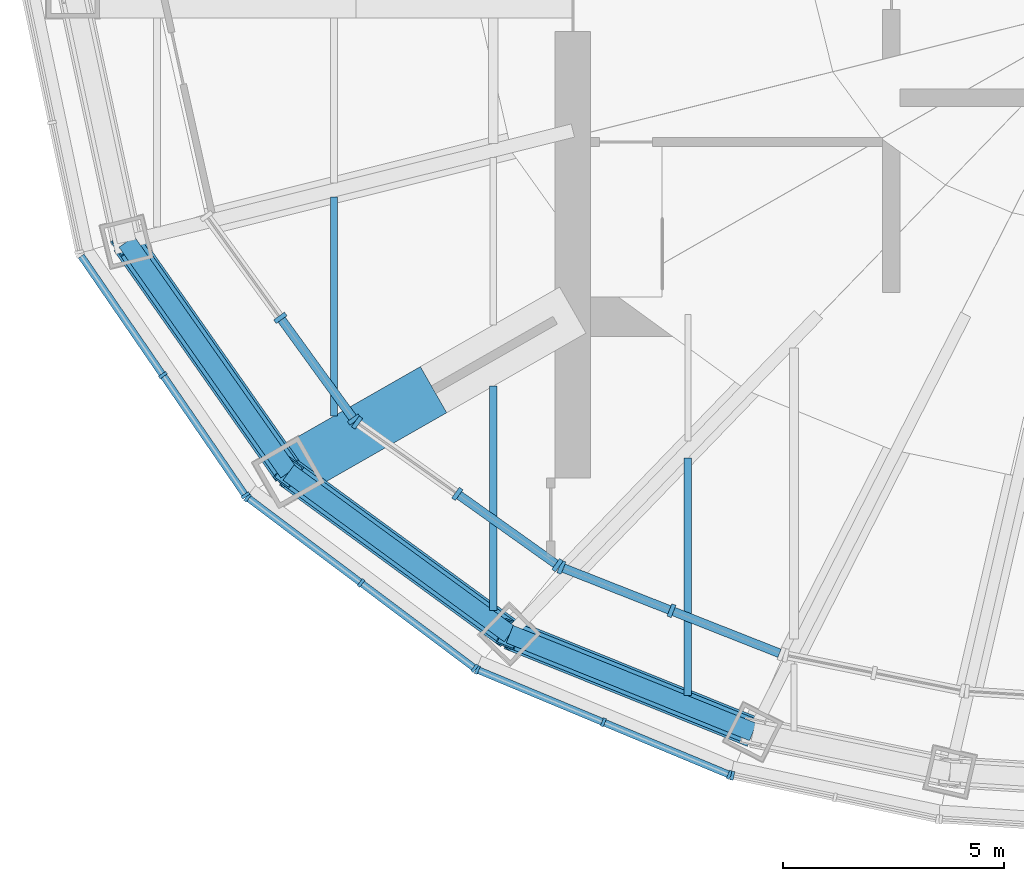
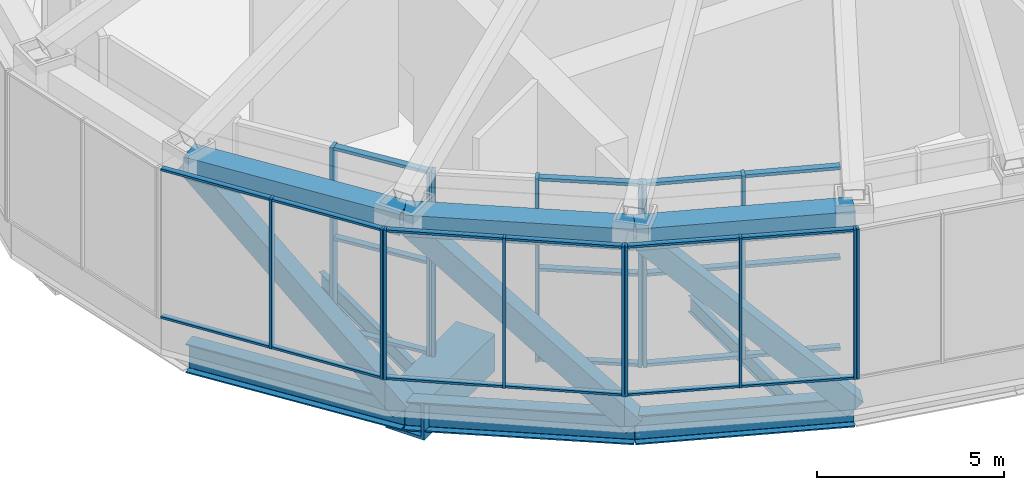
# One storey, part 2 of 21: 43 members, 10 beams, 7 elements without a shape of their own.
"""IFC4 building model written with IfcOpenShell, lengths in metres."""

import ifcopenshell
import ifcopenshell.guid

model = None  # the IFC model being written
_history = None  # IfcOwnerHistory: only IFC2X3 demands one
_inside = {}  # id of a spatial element -> (the spatial element, [elements in it])
_under = {}  # id of a project, library or spatial element -> (it, [spatial elements below it])
_declared = {}  # id of a project -> (the project, [libraries it declares])
_typed = {}  # id of a type object -> (the type object, [elements of that type])
_made_of = {}  # id of a material, layer set ... -> (it, [elements and type objects made of it])


def new_model(schema):
    """Start an empty IFC model of exactly this schema.

    Asked for "IFC4X3", IfcOpenShell would pick the latest addendum, in which some entities
    have other attributes; the version numbers below select the first issue.
    IFC2X3 requires an IfcOwnerHistory on every rooted entity: one is made here for all.
    """
    global model, _history
    if schema == "IFC4X3":
        model = ifcopenshell.file(schema_version=(4, 3, 0, 0))
    else:
        model = ifcopenshell.file(schema=schema)
    _inside.clear()
    _under.clear()
    _declared.clear()
    _typed.clear()
    _made_of.clear()
    _history = None
    if model.schema == "IFC2X3":
        org = make("IfcOrganization", Name="unknown")
        user = make(
            "IfcPersonAndOrganization",
            ThePerson=make("IfcPerson", FamilyName="unknown"),
            TheOrganization=org,
        )
        app = make(
            "IfcApplication",
            ApplicationDeveloper=org,
            Version="unknown",
            ApplicationFullName="unknown",
            ApplicationIdentifier="unknown",
        )
        _history = make(
            "IfcOwnerHistory",
            OwningUser=user,
            OwningApplication=app,
            ChangeAction="ADDED",
            CreationDate=0,
        )
    return model


def make(cls, **values):
    """One entity of the class cls with the attributes given. An attribute that is None is left unset."""
    return model.create_entity(
        cls, **{name: value for name, value in values.items() if value is not None}
    )


def rooted(cls, **values):
    """An entity with a GlobalId (a new one), such as an element, a storey or a relation."""
    return make(cls, GlobalId=ifcopenshell.guid.new(), OwnerHistory=_history, **values)


def si_unit(unit_type, name, prefix=None):
    """IfcSIUnit, for example si_unit("LENGTHUNIT", "METRE", prefix="MILLI")."""
    return make("IfcSIUnit", UnitType=unit_type, Prefix=prefix, Name=name)


def assignment(units):
    """IfcUnitAssignment: the units of a project."""
    return None if units is None else make("IfcUnitAssignment", Units=units)


def point(xyz):
    """IfcCartesianPoint."""
    return None if xyz is None else make("IfcCartesianPoint", Coordinates=xyz)


def direction(xyz):
    """IfcDirection."""
    return None if xyz is None else make("IfcDirection", DirectionRatios=xyz)


def frame(location, z_axis=None, x_axis=None):
    """IfcAxis2Placement3D, a coordinate frame: its origin and axes. An axis left out is left unset."""
    return make(
        "IfcAxis2Placement3D",
        Location=point(location),
        Axis=direction(z_axis),
        RefDirection=direction(x_axis),
    )


def frame_2d(location, x_axis=None):
    """IfcAxis2Placement2D, a coordinate frame in the plane: its origin and x axis."""
    return make(
        "IfcAxis2Placement2D", Location=point(location), RefDirection=direction(x_axis)
    )


def origin():
    """The frame at (0, 0, 0) with its axes left unset."""
    return frame((0.0, 0.0, 0.0))


def origin_2d():
    """The frame at (0, 0) in the plane with its x axis left unset."""
    return frame_2d((0.0, 0.0))


def place(relative_to, where):
    """IfcLocalPlacement: puts the frame where relative to a parent placement (None: the world)."""
    return make(
        "IfcLocalPlacement", PlacementRelTo=relative_to, RelativePlacement=where
    )


def context(
    kind, dimensions, precision=None, world=None, true_north=None, identifier=None
):
    """IfcGeometricRepresentationContext, for example the 3D "Model" context."""
    return make(
        "IfcGeometricRepresentationContext",
        ContextIdentifier=identifier,
        ContextType=kind,
        CoordinateSpaceDimension=dimensions,
        Precision=precision,
        WorldCoordinateSystem=world,
        TrueNorth=true_north,
    )


def subcontext(parent, identifier, kind, view, scale=None):
    """IfcGeometricRepresentationSubContext, for example "Body" below "Model"."""
    return make(
        "IfcGeometricRepresentationSubContext",
        ContextIdentifier=identifier,
        ContextType=kind,
        ParentContext=parent,
        TargetScale=scale,
        TargetView=view,
    )


def project(units=None, contexts=None):
    """IfcProject with its units and contexts."""
    return rooted(
        "IfcProject",
        Name="project",
        RepresentationContexts=contexts,
        UnitsInContext=assignment(units),
    )


def spatial(cls, under=None, at=None, **own):
    """A site, building, storey or space (cls), placed at a placement, below another one or the project."""
    s = rooted(cls, ObjectPlacement=at, **own)
    if under is not None:
        _under.setdefault(under.id(), (under, []))[1].append(s)
    return s


def profile(cls, at=None, kind="AREA", **sizes):
    """A parametric profile (cls). Its sizes go by their IFC names, for example OverallWidth=200.0."""
    return make(cls, ProfileType=kind, Position=at, **sizes)


def rectangle(**sizes):
    """IfcRectangleProfileDef."""
    return profile("IfcRectangleProfileDef", **sizes)


def hollow_rectangle(**sizes):
    """IfcRectangleHollowProfileDef."""
    return profile("IfcRectangleHollowProfileDef", **sizes)


def i_section(**sizes):
    """IfcIShapeProfileDef."""
    return profile("IfcIShapeProfileDef", **sizes)


def extrude(swept, where, along, depth):
    """IfcExtrudedAreaSolid: the profile swept, set in the frame where, extruded along a direction by depth."""
    return make(
        "IfcExtrudedAreaSolid",
        SweptArea=swept,
        Position=where,
        ExtrudedDirection=direction(along),
        Depth=depth,
    )


def shape(context_of_items, identifier, shape_type, items):
    """IfcShapeRepresentation: the items that make up one representation, for example the "Body"."""
    return make(
        "IfcShapeRepresentation",
        ContextOfItems=context_of_items,
        RepresentationIdentifier=identifier,
        RepresentationType=shape_type,
        Items=items,
    )


def material(Name=None, Category=None):
    """IfcMaterial."""
    return make("IfcMaterial", Name=Name, Category=Category)


def material_profile(
    of_material, cross_section, Name=None, Category=None, Priority=None
):
    """IfcMaterialProfile: a cross section and its material."""
    return make(
        "IfcMaterialProfile",
        Name=Name,
        Material=of_material,
        Profile=cross_section,
        Priority=Priority,
        Category=Category,
    )


def profile_set(profiles, Name=None, composite=None):
    """IfcMaterialProfileSet."""
    return make(
        "IfcMaterialProfileSet",
        Name=Name,
        MaterialProfiles=profiles,
        CompositeProfile=composite,
    )


def made_of(thing, what):
    """Note that an element or type object is made of a material, layer set ...; save() writes the relation."""
    if what is not None:
        _made_of.setdefault(what.id(), (what, []))[1].append(thing)
    return thing


def type_object(cls, material=None, **own):
    """A type object (cls), such as IfcWallType, which elements share."""
    return made_of(rooted(cls, **own), material)


def element(
    cls,
    number,
    at=None,
    inside=None,
    cuts=None,
    type_object=None,
    material=None,
    context=None,
    identifier="Body",
    shape_type=None,
    held_by="IfcProductDefinitionShape",
    body=None,
    shapes=None,
    **own,
):
    """One element of the class cls, such as IfcWall. Its Tag is "e" and its number.

    at: its placement. inside: the storey or other place that contains it. cuts: it is an
    opening in that element (IfcRelVoidsElement). A single representation is given by context,
    identifier, shape_type and body (its items); several are given by shapes. held_by: the class
    of the entity that holds the representations. save() writes the other relations.
    """
    e = rooted(cls, Tag="e%d" % number, ObjectPlacement=at, **own)
    if body is not None:
        shapes = [shape(context, identifier, shape_type, body)]
    if shapes is not None:
        e.Representation = make(held_by, Representations=shapes)
    if inside is not None:
        _inside.setdefault(inside.id(), (inside, []))[1].append(e)
    if cuts is not None:
        rooted(
            "IfcRelVoidsElement", RelatingBuildingElement=cuts, RelatedOpeningElement=e
        )
    if type_object is not None:
        _typed.setdefault(type_object.id(), (type_object, []))[1].append(e)
    return made_of(e, material)


def aggregate(whole, parts):
    """IfcRelAggregates: a whole, such as a stair, and the parts it consists of."""
    return rooted("IfcRelAggregates", RelatingObject=whole, RelatedObjects=parts)


def save(model, path):
    """Write the relations noted so far, then the file.

    IfcRelAggregates (storeys below a building ...), IfcRelContainedInSpatialStructure (elements
    in a storey), IfcRelDefinesByType, IfcRelAssociatesMaterial and IfcRelDeclares: one each for
    every whole, place, type object, material and project.
    """
    for whole, parts in _under.values():
        aggregate(whole, parts)
    for where, things in _inside.values():
        rooted(
            "IfcRelContainedInSpatialStructure",
            RelatedElements=things,
            RelatingStructure=where,
        )
    for kind, things in _typed.values():
        rooted("IfcRelDefinesByType", RelatedObjects=things, RelatingType=kind)
    for what, things in _made_of.values():
        rooted("IfcRelAssociatesMaterial", RelatedObjects=things, RelatingMaterial=what)
    for by, libraries in _declared.values():
        rooted("IfcRelDeclares", RelatingContext=by, RelatedDefinitions=libraries)
    model.write(path)


model = new_model("IFC4")

# Units and contexts
model_context = context("Model", 3, precision=1e-05, world=origin(), true_north=direction((0.0, 1.0)))
body_context = subcontext(model_context, "Body", "Model", "MODEL_VIEW")
ifc_project = project(units=[si_unit("LENGTHUNIT", "METRE"), si_unit("AREAUNIT", "SQUARE_METRE"), si_unit("VOLUMEUNIT", "CUBIC_METRE"), si_unit("PLANEANGLEUNIT", "RADIAN"), si_unit("MASSUNIT", "GRAM", prefix="KILO")], contexts=[model_context])

# Site, building, storey
site_placement = place(None, origin())
site = spatial("IfcSite", under=ifc_project, at=site_placement, CompositionType="ELEMENT")
building_placement = place(site_placement, origin())
building = spatial("IfcBuilding", under=site, at=building_placement, Name="Lantaw Convention Tower", CompositionType="ELEMENT")
storey_placement = place(building_placement, frame((0.0, 0.0, 290.39990234375)))
storey = spatial("IfcBuildingStorey", under=building, at=storey_placement, Name="L67", CompositionType="ELEMENT", Elevation=290.39990234375)

# Beams
ifc_material_1 = material(Name="Steel ASTM A992", Category="steel")
ifc_material_profile_1 = material_profile(ifc_material_1, i_section(OverallWidth=0.424072265625, OverallDepth=0.947509765625, WebThickness=0.02392578125, FlangeThickness=0.042724609375, FilletRadius=0.012451171875, at=origin_2d()), Name="W36X302")
ifc_profile_set_1 = profile_set([ifc_material_profile_1], Name="Steel ASTM A992")
beam_type_1 = type_object("IfcBeamType", Name="Beam BC W36X302", PredefinedType="SPANDREL", material=ifc_profile_set_1)
beam_1_placement = place(storey_placement, frame((-22.68701171875, -5.656494140625, -0.673583984375), z_axis=(0.574400527612, -0.81857439117, 0.0), x_axis=(0.81857439117, 0.574400527612, 0.0)))
element("IfcBeam", 1, at=beam_1_placement, inside=storey, type_object=beam_type_1, Name="Belt truss chord 14", PredefinedType="SPANDREL", context=body_context, shape_type="SweptSolid", body=[
    extrude(i_section(OverallWidth=0.424072265625, OverallDepth=0.947509765625, WebThickness=0.02392578125, FlangeThickness=0.042724609375, FilletRadius=0.012451171875, at=origin_2d()), origin(), (0.0, 0.0, 1.0), 6.3720703125),
])
beam_2_placement = place(storey_placement, frame((-19.02685546875, -10.87255859375, -0.673583984375), z_axis=(0.807371616826, -0.59004328006, 0.0), x_axis=(0.59004328006, 0.807371616826, 0.0)))
element("IfcBeam", 2, at=beam_2_placement, inside=storey, type_object=beam_type_1, Name="Belt truss chord 15", PredefinedType="SPANDREL", context=body_context, shape_type="SweptSolid", body=[
    extrude(i_section(OverallWidth=0.424072265625, OverallDepth=0.947509765625, WebThickness=0.02392578125, FlangeThickness=0.042724609375, FilletRadius=0.012451171875, at=origin_2d()), origin(), (0.0, 0.0, 1.0), 6.192138671875),
])
beam_3_placement = place(storey_placement, frame((-14.027587890625, -14.526123046875, -0.673583984375), z_axis=(0.927779110974, -0.373129898615, 0.0), x_axis=(0.373129898615, 0.927779110974, 0.0)))
element("IfcBeam", 3, at=beam_3_placement, inside=storey, type_object=beam_type_1, Name="Belt truss chord 16", PredefinedType="SPANDREL", context=body_context, shape_type="SweptSolid", body=[
    extrude(i_section(OverallWidth=0.424072265625, OverallDepth=0.947509765625, WebThickness=0.02392578125, FlangeThickness=0.042724609375, FilletRadius=0.012451171875, at=origin_2d()), origin(), (0.0, 0.0, 1.0), 5.92724609375),
])
ifc_material_2 = material(Name="Steel EN 10025-3 S460N", Category="steel")
ifc_material_profile_2 = material_profile(ifc_material_2, hollow_rectangle(XDim=1.199951171875, YDim=1.199951171875, WallThickness=0.10009765625, at=origin_2d()), Name="BOX1200X100")
ifc_profile_set_2 = profile_set([ifc_material_profile_2], Name="Steel EN 10025-3 S460N")
beam_type_2 = type_object("IfcBeamType", Name="Beam G BOX1200X100", PredefinedType="BEAM", material=ifc_profile_set_2)
beam_4_placement = place(storey_placement, frame((-15.75, -9.0, -0.7998046875), z_axis=(-0.868235180478, -0.496152870978, 0.0), x_axis=(0.496152870978, -0.868235180478, 0.0)))
element("IfcBeam", 4, at=beam_4_placement, inside=storey, type_object=beam_type_2, Name="Floor girder on ray 15", PredefinedType="BEAM", context=body_context, shape_type="SweptSolid", body=[
    extrude(hollow_rectangle(XDim=1.199951171875, YDim=1.199951171875, WallThickness=0.10009765625, at=origin_2d()), origin(), (0.0, 0.0, 1.0), 3.774169921875),
])
ifc_material_profile_3 = material_profile(ifc_material_1, i_section(OverallWidth=0.1650390625, OverallDepth=0.52587890625, WebThickness=0.0087890625, FlangeThickness=0.011474609375, FilletRadius=0.0126953125, at=origin_2d()), Name="W21X44")
ifc_profile_set_3 = profile_set([ifc_material_profile_3], Name="Steel ASTM A992")
beam_type_3 = type_object("IfcBeamType", Name="Beam J W21X44", PredefinedType="JOIST", material=ifc_profile_set_3)
beam_5_placement = place(storey_placement, frame((-10.0, -15.91748046875, -0.462890625), z_axis=(0.0, 1.0, 0.0), x_axis=(-1.0, 0.0, 0.0)))
element("IfcBeam", 5, at=beam_5_placement, inside=storey, type_object=beam_type_3, Name="Floor joist", PredefinedType="JOIST", context=body_context, shape_type="SweptSolid", body=[
    extrude(i_section(OverallWidth=0.1650390625, OverallDepth=0.52587890625, WebThickness=0.0087890625, FlangeThickness=0.011474609375, FilletRadius=0.0126953125, at=origin_2d()), origin(), (0.0, 0.0, 1.0), 5.3701171875),
])
ifc_material_profile_4 = material_profile(ifc_material_1, i_section(OverallWidth=0.165771484375, OverallDepth=0.5283203125, WebThickness=0.009765625, FlangeThickness=0.013671875, FilletRadius=0.012939453125, at=origin_2d()), Name="W21X50")
ifc_profile_set_4 = profile_set([ifc_material_profile_4], Name="Steel ASTM A992")
beam_type_4 = type_object("IfcBeamType", Name="Beam J W21X50", PredefinedType="JOIST", material=ifc_profile_set_4)
beam_6_placement = place(storey_placement, frame((-18.0, -9.5947265625, -0.464111328125), z_axis=(0.0, 1.0, 0.0), x_axis=(-1.0, 0.0, 0.0)))
element("IfcBeam", 6, at=beam_6_placement, inside=storey, type_object=beam_type_4, Name="Floor joist", PredefinedType="JOIST", context=body_context, shape_type="SweptSolid", body=[
    extrude(i_section(OverallWidth=0.165771484375, OverallDepth=0.5283203125, WebThickness=0.009765625, FlangeThickness=0.013671875, FilletRadius=0.012939453125, at=origin_2d()), origin(), (0.0, 0.0, 1.0), 4.948486328125),
])
beam_7_placement = place(storey_placement, frame((-14.39990234375, -13.9912109375, -0.464111328125), z_axis=(0.0, 1.0, 0.0), x_axis=(-1.0, 0.0, 0.0)))
element("IfcBeam", 7, at=beam_7_placement, inside=storey, type_object=beam_type_4, Name="Floor joist", PredefinedType="JOIST", context=body_context, shape_type="SweptSolid", body=[
    extrude(i_section(OverallWidth=0.165771484375, OverallDepth=0.5283203125, WebThickness=0.009765625, FlangeThickness=0.013671875, FilletRadius=0.012939453125, at=origin_2d()), origin(), (0.0, 0.0, 1.0), 5.071533203125),
])
ifc_material_3 = material(Name="Steel ASTM A572 Grade 50", Category="steel")
ifc_material_profile_5 = material_profile(ifc_material_3, hollow_rectangle(XDim=0.699951171875, YDim=0.699951171875, WallThickness=0.0400390625, at=origin_2d()), Name="BOX700X40")
ifc_profile_set_5 = profile_set([ifc_material_profile_5], Name="Steel ASTM A572 Grade 50")
beam_type_5 = type_object("IfcBeamType", Name="Beam crown ring BOX700X40", PredefinedType="SPANDREL", material=ifc_profile_set_5)
beam_8_placement = place(storey_placement, frame((-22.68701171875, -5.656494140625, 5.650146484375), z_axis=(0.574400527612, -0.81857439117, 0.0), x_axis=(0.81857439117, 0.574400527612, 0.0)))
element("IfcBeam", 8, at=beam_8_placement, inside=storey, type_object=beam_type_5, Name="Crown ring beam", PredefinedType="SPANDREL", context=body_context, shape_type="SweptSolid", body=[
    extrude(hollow_rectangle(XDim=0.699951171875, YDim=0.699951171875, WallThickness=0.0400390625, at=origin_2d()), origin(), (0.0, 0.0, 1.0), 6.3720703125),
])
beam_9_placement = place(storey_placement, frame((-19.02685546875, -10.87255859375, 5.650146484375), z_axis=(0.807371616826, -0.59004328006, 0.0), x_axis=(0.59004328006, 0.807371616826, 0.0)))
element("IfcBeam", 9, at=beam_9_placement, inside=storey, type_object=beam_type_5, Name="Crown ring beam", PredefinedType="SPANDREL", context=body_context, shape_type="SweptSolid", body=[
    extrude(hollow_rectangle(XDim=0.699951171875, YDim=0.699951171875, WallThickness=0.0400390625, at=origin_2d()), origin(), (0.0, 0.0, 1.0), 6.192138671875),
])
beam_10_placement = place(storey_placement, frame((-14.027587890625, -14.526123046875, 5.650146484375), z_axis=(0.927779110974, -0.373129898615, 0.0), x_axis=(0.373129898615, 0.927779110974, 0.0)))
element("IfcBeam", 10, at=beam_10_placement, inside=storey, type_object=beam_type_5, Name="Crown ring beam", PredefinedType="SPANDREL", context=body_context, shape_type="SweptSolid", body=[
    extrude(hollow_rectangle(XDim=0.699951171875, YDim=0.699951171875, WallThickness=0.0400390625, at=origin_2d()), origin(), (0.0, 0.0, 1.0), 5.92724609375),
])

# Curtain wall, members
ifc_material_4 = material(Name="Aluminium framed curtain wall", Category="aluminium")
curtain_wall_type_1 = type_object("IfcCurtainWallType", Name="LANTERN glazing curtain wall, pale aluminium", PredefinedType="USERDEFINED", material=ifc_material_4)
curtain_wall_1_placement = place(storey_placement, origin())
curtain_wall_1 = element("IfcCurtainWall", 11, at=curtain_wall_1_placement, inside=storey, type_object=curtain_wall_type_1, Name="LANTERN glazing curtain wall, pale aluminium L67", ObjectType="LANTERN GLAZING", PredefinedType="USERDEFINED")
ifc_material_5 = material(Name="Aluminium 6063-T6", Category="aluminium")
ifc_material_profile_6 = material_profile(ifc_material_5, rectangle(XDim=0.300048828125, YDim=0.10009765625, at=origin_2d()), Name="CW-LN mullion 100x300")
ifc_profile_set_6 = profile_set([ifc_material_profile_6], Name="Aluminium 6063-T6")
member_type_1 = type_object("IfcMemberType", Name="CW-LN mullion 100x300", PredefinedType="MULLION", material=ifc_profile_set_6)
member_1_placement = place(storey_placement, frame((-19.213623046875, -7.375, 0.0), z_axis=(0.0, 0.0, 1.0), x_axis=(0.809741800193, 0.586786346995, 0.0)))
member_1 = element("IfcMember", 12, at=member_1_placement, type_object=member_type_1, Name="CW-LN mullion 2", PredefinedType="MULLION", context=body_context, shape_type="SweptSolid", body=[
    extrude(rectangle(XDim=0.300048828125, YDim=0.10009765625, at=origin_2d()), origin(), (0.0, 0.0, 1.0), 6.0),
])
member_2_placement = place(storey_placement, frame((-17.5478515625, -9.673583984375, 0.0), z_axis=(0.0, 0.0, 1.0), x_axis=(0.809741800193, 0.586786346995, 0.0)))
member_2 = element("IfcMember", 13, at=member_2_placement, type_object=member_type_1, Name="CW-LN mullion 3", PredefinedType="MULLION", context=body_context, shape_type="SweptSolid", body=[
    extrude(rectangle(XDim=0.300048828125, YDim=0.10009765625, at=origin_2d()), origin(), (0.0, 0.0, 1.0), 6.0),
])

curtain_wall_2_placement = place(storey_placement, origin())
curtain_wall_2 = element("IfcCurtainWall", 14, at=curtain_wall_2_placement, inside=storey, type_object=curtain_wall_type_1, Name="LANTERN glazing curtain wall, pale aluminium L67", ObjectType="LANTERN GLAZING", PredefinedType="USERDEFINED")
member_3_placement = place(storey_placement, frame((-17.477783203125, -9.7431640625, 0.0), z_axis=(0.0, 0.0, 1.0), x_axis=(0.579683901346, 0.814841441337, 0.0)))
member_3 = element("IfcMember", 15, at=member_3_placement, type_object=member_type_1, Name="CW-LN mullion 1", PredefinedType="MULLION", context=body_context, shape_type="SweptSolid", body=[
    extrude(rectangle(XDim=0.300048828125, YDim=0.10009765625, at=origin_2d()), origin(), (0.0, 0.0, 1.0), 6.0),
])
member_4_placement = place(storey_placement, frame((-15.212158203125, -11.354736328125, 0.0), z_axis=(0.0, 0.0, 1.0), x_axis=(0.579683901346, 0.814841441337, 0.0)))
member_4 = element("IfcMember", 16, at=member_4_placement, type_object=member_type_1, Name="CW-LN mullion 2", PredefinedType="MULLION", context=body_context, shape_type="SweptSolid", body=[
    extrude(rectangle(XDim=0.300048828125, YDim=0.10009765625, at=origin_2d()), origin(), (0.0, 0.0, 1.0), 6.0),
])
member_5_placement = place(storey_placement, frame((-12.946533203125, -12.966552734375, 0.0), z_axis=(0.0, 0.0, 1.0), x_axis=(0.579683901346, 0.814841441337, 0.0)))
member_5 = element("IfcMember", 17, at=member_5_placement, type_object=member_type_1, Name="CW-LN mullion 3", PredefinedType="MULLION", context=body_context, shape_type="SweptSolid", body=[
    extrude(rectangle(XDim=0.300048828125, YDim=0.10009765625, at=origin_2d()), origin(), (0.0, 0.0, 1.0), 6.0),
])

curtain_wall_3_placement = place(storey_placement, origin())
curtain_wall_3 = element("IfcCurtainWall", 18, at=curtain_wall_3_placement, inside=storey, type_object=curtain_wall_type_1, Name="LANTERN glazing curtain wall, pale aluminium L67", ObjectType="LANTERN GLAZING", PredefinedType="USERDEFINED")
member_6_placement = place(storey_placement, frame((-12.859375, -13.013916015625, 0.0), z_axis=(0.0, 0.0, 1.0), x_axis=(0.366801957358, 0.930299050885, 0.0)))
member_6 = element("IfcMember", 19, at=member_6_placement, type_object=member_type_1, Name="CW-LN mullion 1", PredefinedType="MULLION", context=body_context, shape_type="SweptSolid", body=[
    extrude(rectangle(XDim=0.300048828125, YDim=0.10009765625, at=origin_2d()), origin(), (0.0, 0.0, 1.0), 6.0),
])
member_7_placement = place(storey_placement, frame((-10.37109375, -13.994873046875, 0.0), z_axis=(0.0, 0.0, 1.0), x_axis=(0.366801957358, 0.930299050885, 0.0)))
member_7 = element("IfcMember", 20, at=member_7_placement, type_object=member_type_1, Name="CW-LN mullion 2", PredefinedType="MULLION", context=body_context, shape_type="SweptSolid", body=[
    extrude(rectangle(XDim=0.300048828125, YDim=0.10009765625, at=origin_2d()), origin(), (0.0, 0.0, 1.0), 6.0),
])

# Member
ifc_material_profile_7 = material_profile(ifc_material_5, rectangle(XDim=0.199951171875, YDim=0.10009765625, at=origin_2d()), Name="CW-LN transom 100x200")
ifc_profile_set_7 = profile_set([ifc_material_profile_7], Name="Aluminium 6063-T6")
member_type_2 = type_object("IfcMemberType", Name="CW-LN transom 100x200", PredefinedType="USERDEFINED", material=ifc_profile_set_7)
member_8_placement = place(storey_placement, frame((-19.184326171875, -7.415283203125, 0.050048828125), z_axis=(0.586798118951, -0.809733269414, 0.0), x_axis=(0.809733269414, 0.586798118951, 0.0)))
member_8 = element("IfcMember", 21, at=member_8_placement, type_object=member_type_2, Name="CW-LN transom 2.1", ObjectType="TRANSOM", PredefinedType="USERDEFINED", context=body_context, shape_type="SweptSolid", body=[
    extrude(rectangle(XDim=0.199951171875, YDim=0.10009765625, at=origin_2d()), origin(), (0.0, 0.0, 1.0), 2.739013671875),
])

member_9_placement = place(storey_placement, frame((-19.184326171875, -7.415283203125, 3.0), z_axis=(0.586798118951, -0.809733269414, 0.0), x_axis=(0.809733269414, 0.586798118951, 0.0)))
member_9 = element("IfcMember", 22, at=member_9_placement, type_object=member_type_2, Name="CW-LN transom 2.2", ObjectType="TRANSOM", PredefinedType="USERDEFINED", context=body_context, shape_type="SweptSolid", body=[
    extrude(rectangle(XDim=0.199951171875, YDim=0.10009765625, at=origin_2d()), origin(), (0.0, 0.0, 1.0), 2.739013671875),
])

member_10_placement = place(storey_placement, frame((-19.184326171875, -7.415283203125, 5.9501953125), z_axis=(0.586798118951, -0.809733269414, 0.0), x_axis=(0.809733269414, 0.586798118951, 0.0)))
member_10 = element("IfcMember", 23, at=member_10_placement, type_object=member_type_2, Name="CW-LN transom 2.3", ObjectType="TRANSOM", PredefinedType="USERDEFINED", context=body_context, shape_type="SweptSolid", body=[
    extrude(rectangle(XDim=0.199951171875, YDim=0.10009765625, at=origin_2d()), origin(), (0.0, 0.0, 1.0), 2.739013671875),
])

aggregate(curtain_wall_1, [member_1, member_2, member_8, member_9, member_10])

member_11_placement = place(storey_placement, frame((-15.17138671875, -11.3837890625, 0.050048828125), z_axis=(0.814852067311, -0.579668964495, 0.0), x_axis=(0.579668964495, 0.814852067311, 0.0)))
member_11 = element("IfcMember", 24, at=member_11_placement, type_object=member_type_2, Name="CW-LN transom 2.1", ObjectType="TRANSOM", PredefinedType="USERDEFINED", context=body_context, shape_type="SweptSolid", body=[
    extrude(rectangle(XDim=0.199951171875, YDim=0.10009765625, at=origin_2d()), origin(), (0.0, 0.0, 1.0), 2.680419921875),
])

member_12_placement = place(storey_placement, frame((-15.17138671875, -11.3837890625, 3.0), z_axis=(0.814852067311, -0.579668964495, 0.0), x_axis=(0.579668964495, 0.814852067311, 0.0)))
member_12 = element("IfcMember", 25, at=member_12_placement, type_object=member_type_2, Name="CW-LN transom 2.2", ObjectType="TRANSOM", PredefinedType="USERDEFINED", context=body_context, shape_type="SweptSolid", body=[
    extrude(rectangle(XDim=0.199951171875, YDim=0.10009765625, at=origin_2d()), origin(), (0.0, 0.0, 1.0), 2.680419921875),
])

member_13_placement = place(storey_placement, frame((-15.17138671875, -11.3837890625, 5.9501953125), z_axis=(0.814852067311, -0.579668964495, 0.0), x_axis=(0.579668964495, 0.814852067311, 0.0)))
member_13 = element("IfcMember", 26, at=member_13_placement, type_object=member_type_2, Name="CW-LN transom 2.3", ObjectType="TRANSOM", PredefinedType="USERDEFINED", context=body_context, shape_type="SweptSolid", body=[
    extrude(rectangle(XDim=0.199951171875, YDim=0.10009765625, at=origin_2d()), origin(), (0.0, 0.0, 1.0), 2.680419921875),
])

aggregate(curtain_wall_2, [member_3, member_4, member_5, member_11, member_12, member_13])

member_14_placement = place(storey_placement, frame((-12.812744140625, -13.0322265625, 0.050048828125), z_axis=(0.930296632408, -0.366808091147, 0.0), x_axis=(0.366808091147, 0.930296632408, 0.0)))
member_14 = element("IfcMember", 27, at=member_14_placement, type_object=member_type_2, Name="CW-LN transom 1.1", ObjectType="TRANSOM", PredefinedType="USERDEFINED", context=body_context, shape_type="SweptSolid", body=[
    extrude(rectangle(XDim=0.199951171875, YDim=0.10009765625, at=origin_2d()), origin(), (0.0, 0.0, 1.0), 2.574462890625),
])

member_15_placement = place(storey_placement, frame((-12.812744140625, -13.0322265625, 3.0), z_axis=(0.930296632408, -0.366808091147, 0.0), x_axis=(0.366808091147, 0.930296632408, 0.0)))
member_15 = element("IfcMember", 28, at=member_15_placement, type_object=member_type_2, Name="CW-LN transom 1.2", ObjectType="TRANSOM", PredefinedType="USERDEFINED", context=body_context, shape_type="SweptSolid", body=[
    extrude(rectangle(XDim=0.199951171875, YDim=0.10009765625, at=origin_2d()), origin(), (0.0, 0.0, 1.0), 2.574462890625),
])

member_16_placement = place(storey_placement, frame((-12.812744140625, -13.0322265625, 5.9501953125), z_axis=(0.930296632408, -0.366808091147, 0.0), x_axis=(0.366808091147, 0.930296632408, 0.0)))
member_16 = element("IfcMember", 29, at=member_16_placement, type_object=member_type_2, Name="CW-LN transom 1.3", ObjectType="TRANSOM", PredefinedType="USERDEFINED", context=body_context, shape_type="SweptSolid", body=[
    extrude(rectangle(XDim=0.199951171875, YDim=0.10009765625, at=origin_2d()), origin(), (0.0, 0.0, 1.0), 2.574462890625),
])

member_17_placement = place(storey_placement, frame((-10.32470703125, -14.01318359375, 0.050048828125), z_axis=(0.930309390119, -0.366775733461, 0.0), x_axis=(0.366775733461, 0.930309390119, 0.0)))
member_17 = element("IfcMember", 30, at=member_17_placement, type_object=member_type_2, Name="CW-LN transom 2.1", ObjectType="TRANSOM", PredefinedType="USERDEFINED", context=body_context, shape_type="SweptSolid", body=[
    extrude(rectangle(XDim=0.199951171875, YDim=0.10009765625, at=origin_2d()), origin(), (0.0, 0.0, 1.0), 2.57470703125),
])

member_18_placement = place(storey_placement, frame((-10.32470703125, -14.01318359375, 3.0), z_axis=(0.930309390119, -0.366775733461, 0.0), x_axis=(0.366775733461, 0.930309390119, 0.0)))
member_18 = element("IfcMember", 31, at=member_18_placement, type_object=member_type_2, Name="CW-LN transom 2.2", ObjectType="TRANSOM", PredefinedType="USERDEFINED", context=body_context, shape_type="SweptSolid", body=[
    extrude(rectangle(XDim=0.199951171875, YDim=0.10009765625, at=origin_2d()), origin(), (0.0, 0.0, 1.0), 2.57470703125),
])

member_19_placement = place(storey_placement, frame((-10.32470703125, -14.01318359375, 5.9501953125), z_axis=(0.930309390119, -0.366775733461, 0.0), x_axis=(0.366775733461, 0.930309390119, 0.0)))
member_19 = element("IfcMember", 32, at=member_19_placement, type_object=member_type_2, Name="CW-LN transom 2.3", ObjectType="TRANSOM", PredefinedType="USERDEFINED", context=body_context, shape_type="SweptSolid", body=[
    extrude(rectangle(XDim=0.199951171875, YDim=0.10009765625, at=origin_2d()), origin(), (0.0, 0.0, 1.0), 2.57470703125),
])

aggregate(curtain_wall_3, [member_6, member_7, member_14, member_15, member_16, member_17, member_18, member_19])

# Curtain wall, members
curtain_wall_type_2 = type_object("IfcCurtainWallType", Name="Plant floor louvre wall, pale aluminium", PredefinedType="USERDEFINED", material=ifc_material_4)
curtain_wall_4_placement = place(storey_placement, origin())
curtain_wall_4 = element("IfcCurtainWall", 33, at=curtain_wall_4_placement, inside=storey, type_object=curtain_wall_type_2, Name="Plant floor louvre wall, pale aluminium L67", ObjectType="LOUVRE WALL", PredefinedType="USERDEFINED")
ifc_material_profile_8 = material_profile(ifc_material_5, rectangle(XDim=0.199951171875, YDim=0.070068359375, at=origin_2d()), Name="CW-LV mullion 70x200")
ifc_profile_set_8 = profile_set([ifc_material_profile_8], Name="Aluminium 6063-T6")
member_type_3 = type_object("IfcMemberType", Name="CW-LV mullion 70x200", PredefinedType="MULLION", material=ifc_profile_set_8)
member_20_placement = place(storey_placement, frame((-21.8681640625, -8.67041015625, 1.10009765625), z_axis=(0.0, 0.0, 1.0), x_axis=(0.824449977189, 0.565934832921, 0.0)))
member_20 = element("IfcMember", 34, at=member_20_placement, type_object=member_type_3, Name="CW-LV mullion 2", PredefinedType="MULLION", context=body_context, shape_type="SweptSolid", body=[
    extrude(rectangle(XDim=0.199951171875, YDim=0.070068359375, at=origin_2d()), origin(), (0.0, 0.0, 1.0), 4.89990234375),
])
member_21_placement = place(storey_placement, frame((-20.001708984375, -11.389404296875, 1.10009765625), z_axis=(0.0, 0.0, 1.0), x_axis=(0.824449977189, 0.565934832921, 0.0)))
member_21 = element("IfcMember", 35, at=member_21_placement, type_object=member_type_3, Name="CW-LV mullion 3", PredefinedType="MULLION", context=body_context, shape_type="SweptSolid", body=[
    extrude(rectangle(XDim=0.199951171875, YDim=0.070068359375, at=origin_2d()), origin(), (0.0, 0.0, 1.0), 4.89990234375),
])

curtain_wall_5_placement = place(storey_placement, origin())
curtain_wall_5 = element("IfcCurtainWall", 36, at=curtain_wall_5_placement, inside=storey, type_object=curtain_wall_type_2, Name="Plant floor louvre wall, pale aluminium L67", ObjectType="LOUVRE WALL", PredefinedType="USERDEFINED")
member_22_placement = place(storey_placement, frame((-19.953857421875, -11.439208984375, 1.10009765625), z_axis=(0.0, 0.0, 1.0), x_axis=(0.600642756762, 0.799517528732, 0.0)))
member_22 = element("IfcMember", 37, at=member_22_placement, type_object=member_type_3, Name="CW-LV mullion 1", PredefinedType="MULLION", context=body_context, shape_type="SweptSolid", body=[
    extrude(rectangle(XDim=0.199951171875, YDim=0.070068359375, at=origin_2d()), origin(), (0.0, 0.0, 1.0), 4.89990234375),
])
member_23_placement = place(storey_placement, frame((-17.386962890625, -13.367919921875, 1.10009765625), z_axis=(0.0, 0.0, 1.0), x_axis=(0.600642756762, 0.799517528732, 0.0)))
member_23 = element("IfcMember", 38, at=member_23_placement, type_object=member_type_3, Name="CW-LV mullion 2", PredefinedType="MULLION", context=body_context, shape_type="SweptSolid", body=[
    extrude(rectangle(XDim=0.199951171875, YDim=0.070068359375, at=origin_2d()), origin(), (0.0, 0.0, 1.0), 4.89990234375),
])
member_24_placement = place(storey_placement, frame((-14.81982421875, -15.29638671875, 1.10009765625), z_axis=(0.0, 0.0, 1.0), x_axis=(0.600642756762, 0.799517528732, 0.0)))
member_24 = element("IfcMember", 39, at=member_24_placement, type_object=member_type_3, Name="CW-LV mullion 3", PredefinedType="MULLION", context=body_context, shape_type="SweptSolid", body=[
    extrude(rectangle(XDim=0.199951171875, YDim=0.070068359375, at=origin_2d()), origin(), (0.0, 0.0, 1.0), 4.89990234375),
])

curtain_wall_6_placement = place(storey_placement, origin())
curtain_wall_6 = element("IfcCurtainWall", 40, at=curtain_wall_6_placement, inside=storey, type_object=curtain_wall_type_2, Name="Plant floor louvre wall, pale aluminium L67", ObjectType="LOUVRE WALL", PredefinedType="USERDEFINED")
member_25_placement = place(storey_placement, frame((-14.759521484375, -15.330810546875, 1.10009765625), z_axis=(0.0, 0.0, 1.0), x_axis=(0.384459697924, 0.923141777124, 0.0)))
member_25 = element("IfcMember", 41, at=member_25_placement, type_object=member_type_3, Name="CW-LV mullion 1", PredefinedType="MULLION", context=body_context, shape_type="SweptSolid", body=[
    extrude(rectangle(XDim=0.199951171875, YDim=0.070068359375, at=origin_2d()), origin(), (0.0, 0.0, 1.0), 4.89990234375),
])
member_26_placement = place(storey_placement, frame((-11.90966796875, -16.517578125, 1.10009765625), z_axis=(0.0, 0.0, 1.0), x_axis=(0.384459697924, 0.923141777124, 0.0)))
member_26 = element("IfcMember", 42, at=member_26_placement, type_object=member_type_3, Name="CW-LV mullion 2", PredefinedType="MULLION", context=body_context, shape_type="SweptSolid", body=[
    extrude(rectangle(XDim=0.199951171875, YDim=0.070068359375, at=origin_2d()), origin(), (0.0, 0.0, 1.0), 4.89990234375),
])
member_27_placement = place(storey_placement, frame((-9.06005859375, -17.70458984375, 1.10009765625), z_axis=(0.0, 0.0, 1.0), x_axis=(0.384459697924, 0.923141777124, 0.0)))
member_27 = element("IfcMember", 43, at=member_27_placement, type_object=member_type_3, Name="CW-LV mullion 3", PredefinedType="MULLION", context=body_context, shape_type="SweptSolid", body=[
    extrude(rectangle(XDim=0.199951171875, YDim=0.070068359375, at=origin_2d()), origin(), (0.0, 0.0, 1.0), 4.89990234375),
])

# Curtain wall, member
curtain_wall_7_placement = place(storey_placement, origin())
curtain_wall_7 = element("IfcCurtainWall", 44, at=curtain_wall_7_placement, inside=storey, type_object=curtain_wall_type_2, Name="Plant floor louvre wall, pale aluminium L67", ObjectType="LOUVRE WALL", PredefinedType="USERDEFINED")
member_28_placement = place(storey_placement, frame((-8.993408203125, -17.72509765625, 1.10009765625), z_axis=(0.0, 0.0, 1.0), x_axis=(0.207039911975, 0.978332497083, 0.0)))
member_28 = element("IfcMember", 45, at=member_28_placement, type_object=member_type_3, Name="CW-LV mullion 1", PredefinedType="MULLION", context=body_context, shape_type="SweptSolid", body=[
    extrude(rectangle(XDim=0.199951171875, YDim=0.070068359375, at=origin_2d()), origin(), (0.0, 0.0, 1.0), 4.89990234375),
])
aggregate(curtain_wall_7, [member_28])

# Member
ifc_material_profile_9 = material_profile(ifc_material_5, rectangle(XDim=0.159912109375, YDim=0.070068359375, at=origin_2d()), Name="CW-LV transom 70x160")
ifc_profile_set_9 = profile_set([ifc_material_profile_9], Name="Aluminium 6063-T6")
member_type_4 = type_object("IfcMemberType", Name="CW-LV transom 70x160", PredefinedType="USERDEFINED", material=ifc_profile_set_9)
member_29_placement = place(storey_placement, frame((-23.71484375, -5.980224609375, 1.135009765625), z_axis=(0.56594129057, -0.824445544368, 0.0), x_axis=(0.824445544368, 0.56594129057, 0.0)))
member_29 = element("IfcMember", 46, at=member_29_placement, type_object=member_type_4, Name="CW-LV transom 1.1", ObjectType="TRANSOM", PredefinedType="USERDEFINED", context=body_context, shape_type="SweptSolid", body=[
    extrude(rectangle(XDim=0.159912109375, YDim=0.070068359375, at=origin_2d()), origin(), (0.0, 0.0, 1.0), 3.22802734375),
])

member_30_placement = place(storey_placement, frame((-23.71484375, -5.980224609375, 5.965087890625), z_axis=(0.56594129057, -0.824445544368, 0.0), x_axis=(0.824445544368, 0.56594129057, 0.0)))
member_30 = element("IfcMember", 47, at=member_30_placement, type_object=member_type_4, Name="CW-LV transom 1.2", ObjectType="TRANSOM", PredefinedType="USERDEFINED", context=body_context, shape_type="SweptSolid", body=[
    extrude(rectangle(XDim=0.159912109375, YDim=0.070068359375, at=origin_2d()), origin(), (0.0, 0.0, 1.0), 3.22802734375),
])

member_31_placement = place(storey_placement, frame((-21.848388671875, -8.69921875, 1.135009765625), z_axis=(0.56594129057, -0.824445544368, 0.0), x_axis=(0.824445544368, 0.56594129057, 0.0)))
member_31 = element("IfcMember", 48, at=member_31_placement, type_object=member_type_4, Name="CW-LV transom 2.1", ObjectType="TRANSOM", PredefinedType="USERDEFINED", context=body_context, shape_type="SweptSolid", body=[
    extrude(rectangle(XDim=0.159912109375, YDim=0.070068359375, at=origin_2d()), origin(), (0.0, 0.0, 1.0), 3.22802734375),
])

member_32_placement = place(storey_placement, frame((-21.848388671875, -8.69921875, 5.965087890625), z_axis=(0.56594129057, -0.824445544368, 0.0), x_axis=(0.824445544368, 0.56594129057, 0.0)))
member_32 = element("IfcMember", 49, at=member_32_placement, type_object=member_type_4, Name="CW-LV transom 2.2", ObjectType="TRANSOM", PredefinedType="USERDEFINED", context=body_context, shape_type="SweptSolid", body=[
    extrude(rectangle(XDim=0.159912109375, YDim=0.070068359375, at=origin_2d()), origin(), (0.0, 0.0, 1.0), 3.22802734375),
])

aggregate(curtain_wall_4, [member_20, member_21, member_29, member_30, member_31, member_32])

member_33_placement = place(storey_placement, frame((-19.926025390625, -11.460205078125, 1.135009765625), z_axis=(0.799496049611, -0.600671346626, 0.0), x_axis=(0.600671346626, 0.799496049611, 0.0)))
member_33 = element("IfcMember", 50, at=member_33_placement, type_object=member_type_4, Name="CW-LV transom 1.1", ObjectType="TRANSOM", PredefinedType="USERDEFINED", context=body_context, shape_type="SweptSolid", body=[
    extrude(rectangle(XDim=0.159912109375, YDim=0.070068359375, at=origin_2d()), origin(), (0.0, 0.0, 1.0), 3.14111328125),
])

member_34_placement = place(storey_placement, frame((-19.926025390625, -11.460205078125, 5.965087890625), z_axis=(0.799496049611, -0.600671346626, 0.0), x_axis=(0.600671346626, 0.799496049611, 0.0)))
member_34 = element("IfcMember", 51, at=member_34_placement, type_object=member_type_4, Name="CW-LV transom 1.2", ObjectType="TRANSOM", PredefinedType="USERDEFINED", context=body_context, shape_type="SweptSolid", body=[
    extrude(rectangle(XDim=0.159912109375, YDim=0.070068359375, at=origin_2d()), origin(), (0.0, 0.0, 1.0), 3.14111328125),
])

member_35_placement = place(storey_placement, frame((-17.35888671875, -13.388916015625, 1.135009765625), z_axis=(0.799505333284, -0.600658989819, 0.0), x_axis=(0.600658989819, 0.799505333284, 0.0)))
member_35 = element("IfcMember", 52, at=member_35_placement, type_object=member_type_4, Name="CW-LV transom 2.1", ObjectType="TRANSOM", PredefinedType="USERDEFINED", context=body_context, shape_type="SweptSolid", body=[
    extrude(rectangle(XDim=0.159912109375, YDim=0.070068359375, at=origin_2d()), origin(), (0.0, 0.0, 1.0), 3.140625),
])

member_36_placement = place(storey_placement, frame((-17.35888671875, -13.388916015625, 5.965087890625), z_axis=(0.799505333284, -0.600658989819, 0.0), x_axis=(0.600658989819, 0.799505333284, 0.0)))
member_36 = element("IfcMember", 53, at=member_36_placement, type_object=member_type_4, Name="CW-LV transom 2.2", ObjectType="TRANSOM", PredefinedType="USERDEFINED", context=body_context, shape_type="SweptSolid", body=[
    extrude(rectangle(XDim=0.159912109375, YDim=0.070068359375, at=origin_2d()), origin(), (0.0, 0.0, 1.0), 3.140625),
])

aggregate(curtain_wall_5, [member_22, member_23, member_24, member_33, member_34, member_35, member_36])

member_37_placement = place(storey_placement, frame((-14.727294921875, -15.34423828125, 1.135009765625), z_axis=(0.923143943999, -0.384454494911, 0.0), x_axis=(0.384454494911, 0.923143943999, 0.0)))
member_37 = element("IfcMember", 54, at=member_37_placement, type_object=member_type_4, Name="CW-LV transom 1.1", ObjectType="TRANSOM", PredefinedType="USERDEFINED", context=body_context, shape_type="SweptSolid", body=[
    extrude(rectangle(XDim=0.159912109375, YDim=0.070068359375, at=origin_2d()), origin(), (0.0, 0.0, 1.0), 3.01708984375),
])

member_38_placement = place(storey_placement, frame((-14.727294921875, -15.34423828125, 5.965087890625), z_axis=(0.923143943999, -0.384454494911, 0.0), x_axis=(0.384454494911, 0.923143943999, 0.0)))
member_38 = element("IfcMember", 55, at=member_38_placement, type_object=member_type_4, Name="CW-LV transom 1.2", ObjectType="TRANSOM", PredefinedType="USERDEFINED", context=body_context, shape_type="SweptSolid", body=[
    extrude(rectangle(XDim=0.159912109375, YDim=0.070068359375, at=origin_2d()), origin(), (0.0, 0.0, 1.0), 3.01708984375),
])

member_39_placement = place(storey_placement, frame((-11.87744140625, -16.531005859375, 1.135009765625), z_axis=(0.923143943999, -0.384454494911, 0.0), x_axis=(0.384454494911, 0.923143943999, 0.0)))
member_39 = element("IfcMember", 56, at=member_39_placement, type_object=member_type_4, Name="CW-LV transom 2.1", ObjectType="TRANSOM", PredefinedType="USERDEFINED", context=body_context, shape_type="SweptSolid", body=[
    extrude(rectangle(XDim=0.159912109375, YDim=0.070068359375, at=origin_2d()), origin(), (0.0, 0.0, 1.0), 3.01708984375),
])

member_40_placement = place(storey_placement, frame((-11.87744140625, -16.531005859375, 5.965087890625), z_axis=(0.923143943999, -0.384454494911, 0.0), x_axis=(0.384454494911, 0.923143943999, 0.0)))
member_40 = element("IfcMember", 57, at=member_40_placement, type_object=member_type_4, Name="CW-LV transom 2.2", ObjectType="TRANSOM", PredefinedType="USERDEFINED", context=body_context, shape_type="SweptSolid", body=[
    extrude(rectangle(XDim=0.159912109375, YDim=0.070068359375, at=origin_2d()), origin(), (0.0, 0.0, 1.0), 3.01708984375),
])

aggregate(curtain_wall_6, [member_25, member_26, member_27, member_37, member_38, member_39, member_40])

# Members
ifc_material_profile_10 = material_profile(ifc_material_3, hollow_rectangle(XDim=0.60009765625, YDim=0.60009765625, WallThickness=0.031982421875, at=origin_2d()), Name="BOX600X32")
ifc_profile_set_10 = profile_set([ifc_material_profile_10], Name="Steel ASTM A572 Grade 50")
member_type_5 = type_object("IfcMemberType", Name="Member CR BOX600X32", PredefinedType="BRACE", material=ifc_profile_set_10)
member_41_placement = place(storey_placement, frame((-19.02685546875, -10.87255859375, -0.505859375), z_axis=(-0.411686509541, 0.586691720675, 0.697357184485), x_axis=(-0.81857439117, -0.574400527612, 0.0)))
element("IfcMember", 58, at=member_41_placement, inside=storey, type_object=member_type_5, Name="Crown ring truss diagonal 14 (upper)", PredefinedType="BRACE", context=body_context, shape_type="SweptSolid", body=[
    extrude(hollow_rectangle(XDim=0.60009765625, YDim=0.60009765625, WallThickness=0.031982421875, at=origin_2d()), origin(), (0.0, 0.0, 1.0), 8.890625),
])
member_42_placement = place(storey_placement, frame((-14.027587890625, -14.526123046875, -0.505859375), z_axis=(-0.570532803839, 0.416956751939, 0.707558751452), x_axis=(-0.59004328006, -0.807371616826, 0.0)))
element("IfcMember", 59, at=member_42_placement, inside=storey, type_object=member_type_5, Name="Crown ring truss diagonal 15 (upper)", PredefinedType="BRACE", context=body_context, shape_type="SweptSolid", body=[
    extrude(hollow_rectangle(XDim=0.60009765625, YDim=0.60009765625, WallThickness=0.031982421875, at=origin_2d()), origin(), (0.0, 0.0, 1.0), 8.762451171875),
])
member_43_placement = place(storey_placement, frame((-8.5283203125, -16.73779296875, -0.505859375), z_axis=(-0.641130065907, 0.257846715518, 0.722819002162), x_axis=(-0.373129898615, -0.927779110974, 0.0)))
element("IfcMember", 60, at=member_43_placement, inside=storey, type_object=member_type_5, Name="Crown ring truss diagonal 16 (upper)", PredefinedType="BRACE", context=body_context, shape_type="SweptSolid", body=[
    extrude(hollow_rectangle(XDim=0.60009765625, YDim=0.60009765625, WallThickness=0.031982421875, at=origin_2d()), origin(), (0.0, 0.0, 1.0), 8.577392578125),
])

save(model, "model.ifc")
